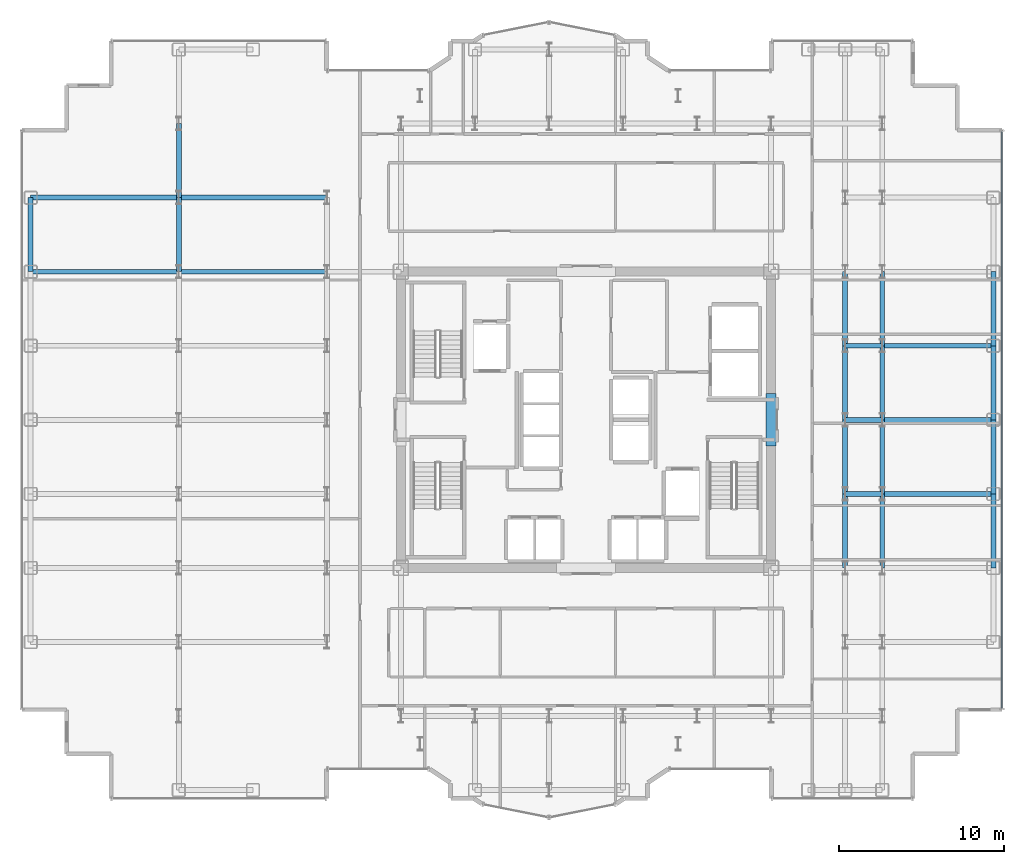
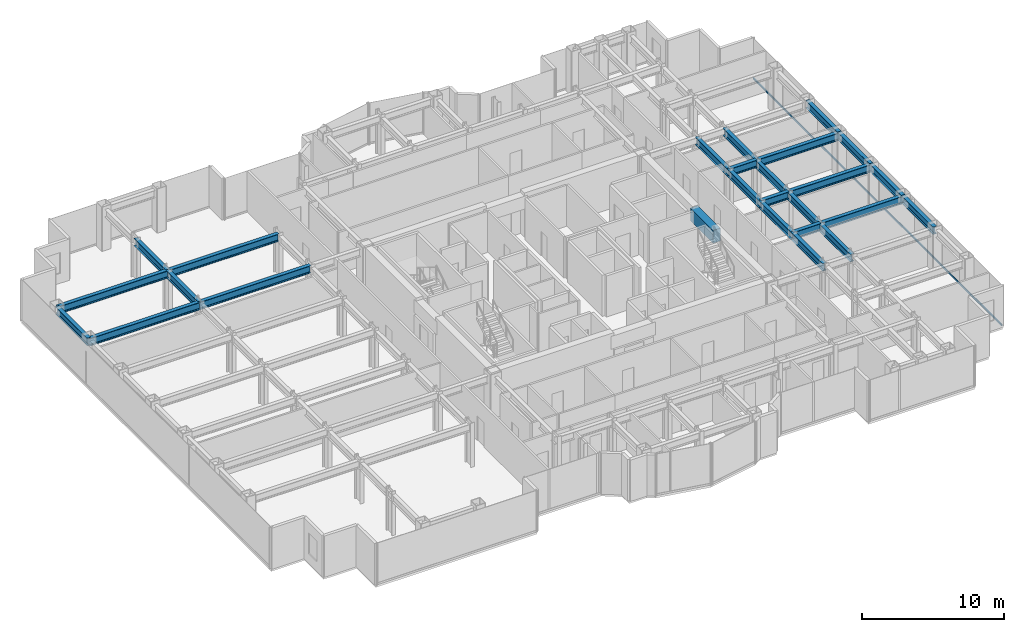
# One storey, part 9 of 23: 26 beams, 1 member, 1 element without a shape of its own.
"""IFC4 building model written with IfcOpenShell, lengths in metres."""

from ifc_helpers import new_model, si_unit, direction, frame, origin, origin_2d, place, context, subcontext, project, spatial, rectangle, hollow_rectangle, i_section, extrude, source, transform, mapped, material, layer, layer_set, material_profile, profile_set, type_object, element, aggregate, save


model = new_model("IFC4")

# Units and contexts
model_context = context("Model", 3, precision=1e-05, world=origin(), true_north=direction((0.0, 1.0)))
body_context = subcontext(model_context, "Body", "Model", "MODEL_VIEW")
ifc_project = project(units=[si_unit("LENGTHUNIT", "METRE"), si_unit("AREAUNIT", "SQUARE_METRE"), si_unit("VOLUMEUNIT", "CUBIC_METRE"), si_unit("PLANEANGLEUNIT", "RADIAN"), si_unit("MASSUNIT", "GRAM", prefix="KILO")], contexts=[model_context])

# Site, building, storey
site_placement = place(None, origin())
site = spatial("IfcSite", under=ifc_project, at=site_placement, CompositionType="ELEMENT")
building_placement = place(site_placement, origin())
building = spatial("IfcBuilding", under=site, at=building_placement, Name="Nefas-Gora Pilgrimage Tower", CompositionType="ELEMENT")
storey_placement = place(building_placement, frame((0.0, 0.0, 175.39990234375)))
storey = spatial("IfcBuildingStorey", under=building, at=storey_placement, Name="L43", CompositionType="ELEMENT", Elevation=175.39990234375)

# Beams
ifc_material_1 = material(Name="Concrete C60/75", Category="concrete")
ifc_material_profile_1 = material_profile(ifc_material_1, rectangle(XDim=0.60009765625, YDim=1.10009765625, at=origin_2d()), Name="RC 600x1100")
ifc_profile_set_1 = profile_set([ifc_material_profile_1], Name="Concrete C60/75")
beam_type_1 = type_object("IfcBeamType", Name="BM-LIN-RC1100", PredefinedType="LINTEL", material=ifc_profile_set_1)
shared_shape_1 = source(origin(), body_context, "Body", "SweptSolid", [
    extrude(rectangle(XDim=0.60009765625, YDim=1.10009765625, at=origin_2d()), origin(), (0.0, 0.0, 1.0), 3.2001953125),
])
beam_placement = place(storey_placement, frame((11.25, -1.60009765625, 3.0), z_axis=(0.0, 1.0, 0.0), x_axis=(-1.0, 0.0, 0.0)))
element("IfcBeam", 1, at=beam_placement, inside=storey, type_object=beam_type_1, Name="L43 Core Coupling Lintel Beam E", PredefinedType="LINTEL", context=body_context, shape_type="MappedRepresentation", body=[
    mapped(shared_shape_1, transform((0.0, 0.0, 0.0), x_axis=(1.0, 0.0, 0.0), y_axis=(0.0, 1.0, 0.0), z_axis=(0.0, 0.0, 1.0), scale=1.0)),
])
ifc_material_2 = material(Name="Steel S355", Category="steel")
ifc_material_profile_2 = material_profile(ifc_material_2, i_section(OverallWidth=0.300048828125, OverallDepth=0.64990234375, WebThickness=0.01611328125, FlangeThickness=0.031005859375, FilletRadius=0.027099609375, at=origin_2d()), Name="HEB 650")
ifc_profile_set_2 = profile_set([ifc_material_profile_2], Name="Steel S355")
beam_type_2 = type_object("IfcBeamType", Name="BM-SPN-HEB500", PredefinedType="SPANDREL", material=ifc_profile_set_2)
shared_shape_2 = source(origin(), body_context, "Body", "SweptSolid", [
    extrude(i_section(OverallWidth=0.300048828125, OverallDepth=0.64990234375, WebThickness=0.01611328125, FlangeThickness=0.031005859375, FilletRadius=0.027099609375, at=origin_2d()), origin(), (0.0, 0.0, 1.0), 4.5),
])
for number, where, z_axis, x_axis, name in (
    (2, (-33.75, 9.0, 3.22509765625), (0.0, 1.0, 0.0), (-1.0, 0.0, 0.0), "L43 SP-02 beam"),
    (3, (24.75, -9.0, 3.22509765625), (0.0, 1.0, 0.0), (-1.0, 0.0, 0.0), "L43 SP-02 beam"),
    (4, (24.75, -4.5, 3.22509765625), (0.0, 1.0, 0.0), (-1.0, 0.0, 0.0), "L43 SP-02 beam"),
    (5, (24.75, 0.0, 3.22509765625), (0.0, 1.0, 0.0), (-1.0, 0.0, 0.0), "L43 SP-02 beam"),
    (6, (24.75, 4.5, 3.22509765625), (0.0, 1.0, 0.0), (-1.0, 0.0, 0.0), "L43 SP-02 beam"),
):
    element("IfcBeam", number, at=place(storey_placement, frame(where, z_axis=z_axis, x_axis=x_axis)), inside=storey, type_object=beam_type_2, Name=name, PredefinedType="SPANDREL", context=body_context, shape_type="MappedRepresentation", body=[
        mapped(shared_shape_2, transform((0.0, 0.0, 0.0), x_axis=(1.0, 0.0, 0.0), y_axis=(0.0, 1.0, 0.0), z_axis=(0.0, 0.0, 1.0), scale=1.0)),
    ])
ifc_material_profile_3 = material_profile(ifc_material_2, i_section(OverallWidth=0.300048828125, OverallDepth=0.64990234375, WebThickness=0.01611328125, FlangeThickness=0.031005859375, FilletRadius=0.027099609375, at=origin_2d()), Name="HEB 650")
ifc_profile_set_3 = profile_set([ifc_material_profile_3], Name="Steel S355")
beam_type_3 = type_object("IfcBeamType", Name="BM-GIR-HEB650", PredefinedType="BEAM", material=ifc_profile_set_3)
shared_shape_3 = source(origin(), body_context, "Body", "SweptSolid", [
    extrude(i_section(OverallWidth=0.300048828125, OverallDepth=0.64990234375, WebThickness=0.01611328125, FlangeThickness=0.031005859375, FilletRadius=0.027099609375, at=origin_2d()), origin(), (0.0, 0.0, 1.0), 9.0),
])
for number, where, z_axis, x_axis, name in (
    (7, (-33.75, 9.0, 3.22509765625), (1.0, 0.0, 0.0), (0.0, 1.0, 0.0), "L43 G-03 beam"),
    (8, (-33.75, 13.5, 3.22509765625), (1.0, 0.0, 0.0), (0.0, 1.0, 0.0), "L43 G-03 beam"),
    (9, (-24.75, 9.0, 3.22509765625), (1.0, 0.0, 0.0), (0.0, 1.0, 0.0), "L43 G-03 beam"),
    (10, (-24.75, 13.5, 3.22509765625), (1.0, 0.0, 0.0), (0.0, 1.0, 0.0), "L43 G-03 beam"),
):
    element("IfcBeam", number, at=place(storey_placement, frame(where, z_axis=z_axis, x_axis=x_axis)), inside=storey, type_object=beam_type_3, Name=name, PredefinedType="BEAM", context=body_context, shape_type="MappedRepresentation", body=[
        mapped(shared_shape_3, transform((0.0, 0.0, 0.0), x_axis=(1.0, 0.0, 0.0), y_axis=(0.0, 1.0, 0.0), z_axis=(0.0, 0.0, 1.0), scale=1.0)),
    ])
shared_shape_4 = source(origin(), body_context, "Body", "SweptSolid", [
    extrude(i_section(OverallWidth=0.300048828125, OverallDepth=0.64990234375, WebThickness=0.01611328125, FlangeThickness=0.031005859375, FilletRadius=0.027099609375, at=origin_2d()), origin(), (0.0, 0.0, 1.0), 4.5),
])
for number, where, z_axis, x_axis, name in (
    (11, (-24.75, 9.0, 3.22509765625), (0.0, 1.0, 0.0), (-1.0, 0.0, 0.0), "L43 G-03 beam"),
    (12, (-24.75, 13.5, 3.22509765625), (0.0, 1.0, 0.0), (-1.0, 0.0, 0.0), "L43 G-03 beam"),
    (13, (15.75, -9.0, 3.22509765625), (0.0, 1.0, 0.0), (-1.0, 0.0, 0.0), "L43 G-03 beam"),
    (14, (15.75, -4.5, 3.22509765625), (0.0, 1.0, 0.0), (-1.0, 0.0, 0.0), "L43 G-03 beam"),
    (15, (15.75, 0.0, 3.22509765625), (0.0, 1.0, 0.0), (-1.0, 0.0, 0.0), "L43 G-03 beam"),
    (16, (15.75, 4.5, 3.22509765625), (0.0, 1.0, 0.0), (-1.0, 0.0, 0.0), "L43 G-03 beam"),
    (17, (18.0, -9.0, 3.22509765625), (0.0, 1.0, 0.0), (-1.0, 0.0, 0.0), "L43 G-03 beam"),
    (18, (18.0, -4.5, 3.22509765625), (0.0, 1.0, 0.0), (-1.0, 0.0, 0.0), "L43 G-03 beam"),
    (19, (18.0, 0.0, 3.22509765625), (0.0, 1.0, 0.0), (-1.0, 0.0, 0.0), "L43 G-03 beam"),
    (20, (18.0, 4.5, 3.22509765625), (0.0, 1.0, 0.0), (-1.0, 0.0, 0.0), "L43 G-03 beam"),
):
    element("IfcBeam", number, at=place(storey_placement, frame(where, z_axis=z_axis, x_axis=x_axis)), inside=storey, type_object=beam_type_3, Name=name, PredefinedType="BEAM", context=body_context, shape_type="MappedRepresentation", body=[
        mapped(shared_shape_4, transform((0.0, 0.0, 0.0), x_axis=(1.0, 0.0, 0.0), y_axis=(0.0, 1.0, 0.0), z_axis=(0.0, 0.0, 1.0), scale=1.0)),
    ])
shared_shape_5 = source(origin(), body_context, "Body", "SweptSolid", [
    extrude(i_section(OverallWidth=0.300048828125, OverallDepth=0.64990234375, WebThickness=0.01611328125, FlangeThickness=0.031005859375, FilletRadius=0.027099609375, at=origin_2d()), origin(), (0.0, 0.0, 1.0), 6.75),
])
for number, where, z_axis, x_axis, name in (
    (21, (18.0, -4.5, 3.22509765625), (1.0, 0.0, 0.0), (0.0, 1.0, 0.0), "L43 G-03 beam"),
    (22, (18.0, 0.0, 3.22509765625), (1.0, 0.0, 0.0), (0.0, 1.0, 0.0), "L43 G-03 beam"),
    (23, (18.0, 4.5, 3.22509765625), (1.0, 0.0, 0.0), (0.0, 1.0, 0.0), "L43 G-03 beam"),
):
    element("IfcBeam", number, at=place(storey_placement, frame(where, z_axis=z_axis, x_axis=x_axis)), inside=storey, type_object=beam_type_3, Name=name, PredefinedType="BEAM", context=body_context, shape_type="MappedRepresentation", body=[
        mapped(shared_shape_5, transform((0.0, 0.0, 0.0), x_axis=(1.0, 0.0, 0.0), y_axis=(0.0, 1.0, 0.0), z_axis=(0.0, 0.0, 1.0), scale=1.0)),
    ])
shared_shape_6 = source(origin(), body_context, "Body", "SweptSolid", [
    extrude(i_section(OverallWidth=0.300048828125, OverallDepth=0.64990234375, WebThickness=0.01611328125, FlangeThickness=0.031005859375, FilletRadius=0.027099609375, at=origin_2d()), origin(), (0.0, 0.0, 1.0), 2.25),
])
for number, where, z_axis, x_axis, name in (
    (24, (15.75, -4.5, 3.22509765625), (1.0, 0.0, 0.0), (0.0, 1.0, 0.0), "L43 G-03 beam"),
    (25, (15.75, 0.0, 3.22509765625), (1.0, 0.0, 0.0), (0.0, 1.0, 0.0), "L43 G-03 beam"),
    (26, (15.75, 4.5, 3.22509765625), (1.0, 0.0, 0.0), (0.0, 1.0, 0.0), "L43 G-03 beam"),
):
    element("IfcBeam", number, at=place(storey_placement, frame(where, z_axis=z_axis, x_axis=x_axis)), inside=storey, type_object=beam_type_3, Name=name, PredefinedType="BEAM", context=body_context, shape_type="MappedRepresentation", body=[
        mapped(shared_shape_6, transform((0.0, 0.0, 0.0), x_axis=(1.0, 0.0, 0.0), y_axis=(0.0, 1.0, 0.0), z_axis=(0.0, 0.0, 1.0), scale=1.0)),
    ])

# Curtain wall, member
ifc_material_3 = material(Name="Dark ceramic-fritted solar-control aluminium-glass curtain wall", Category="aluminium")
ifc_layer = layer(ifc_material_3, 0.219970703125)
ifc_layer_set = layer_set([ifc_layer], Name="Dark ceramic-fritted solar-control aluminium-glass curtain wall")
curtain_wall_type = type_object("IfcCurtainWallType", Name="CW-SYS-3", PredefinedType="NOTDEFINED", material=ifc_layer_set)
curtain_wall_placement = place(storey_placement, origin())
curtain_wall = element("IfcCurtainWall", 27, at=curtain_wall_placement, inside=storey, type_object=curtain_wall_type, Name="L43 Unitised Curtain Wall CW3", PredefinedType="NOTDEFINED")
ifc_material_4 = material(Name="Anodised architectural aluminium", Category="aluminium")
ifc_material_profile_4 = material_profile(ifc_material_4, hollow_rectangle(XDim=0.080078125, YDim=0.159912109375, WallThickness=0.00439453125, InnerFilletRadius=0.00439453125, OuterFilletRadius=0.009033203125, at=origin_2d()), Name="ALU TRANSOM 80x160")
ifc_profile_set_4 = profile_set([ifc_material_profile_4], Name="Anodised architectural aluminium")
member_type = type_object("IfcMemberType", Name="CWM-TRN-3", PredefinedType="USERDEFINED", material=ifc_profile_set_4)
shared_shape_7 = source(origin(), body_context, "Body", "SweptSolid", [
    extrude(hollow_rectangle(XDim=0.080078125, YDim=0.159912109375, WallThickness=0.00439453125, InnerFilletRadius=0.00439453125, OuterFilletRadius=0.009033203125, at=origin_2d()), origin(), (0.0, 0.0, 1.0), 35.06005859375),
])
member_placement = place(storey_placement, frame((25.27001953125, -17.530029296875, 0.050048828125), z_axis=(0.0, 1.0, 0.0), x_axis=(-1.0, 0.0, 0.0)))
member = element("IfcMember", 28, at=member_placement, type_object=member_type, Name="CW3 Spandrel Transom", ObjectType="TRANSOM", PredefinedType="USERDEFINED", context=body_context, shape_type="MappedRepresentation", body=[
    mapped(shared_shape_7, transform((0.0, 0.0, 0.0), x_axis=(1.0, 0.0, 0.0), y_axis=(0.0, 1.0, 0.0), z_axis=(0.0, 0.0, 1.0), scale=1.0)),
])
aggregate(curtain_wall, [member])

save(model, "model.ifc")
